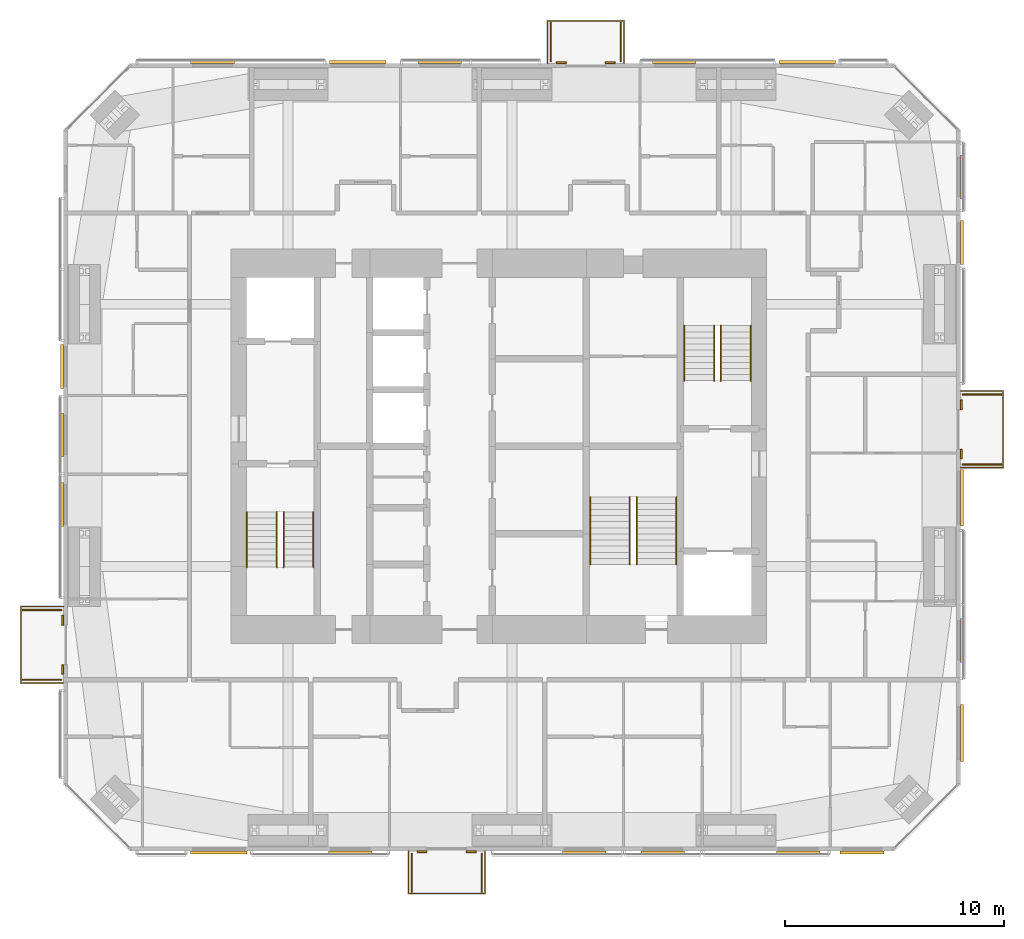
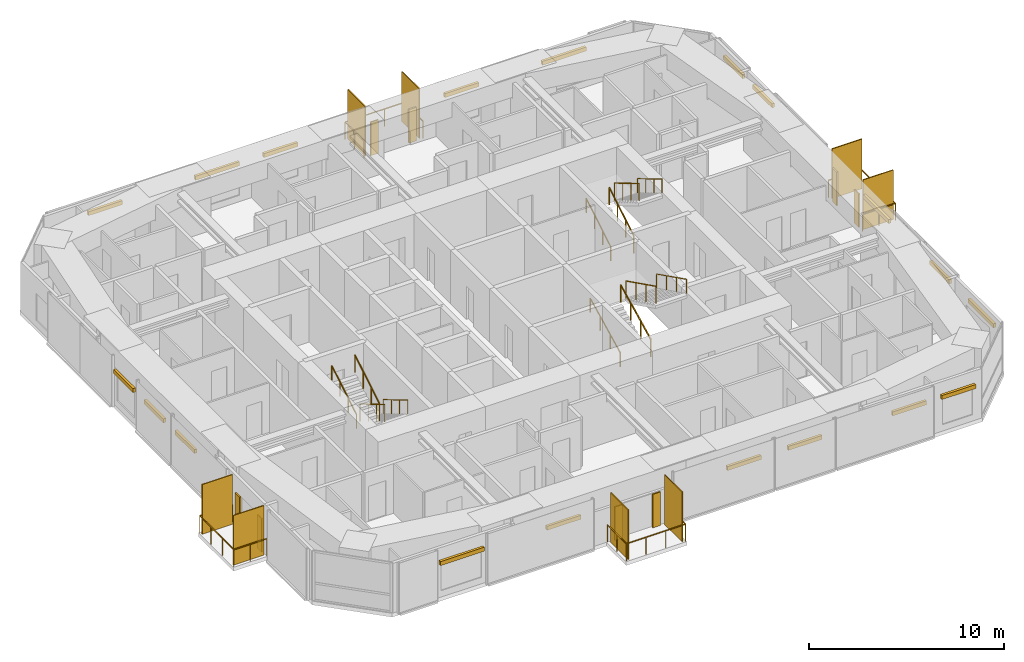
# One storey, part 23 of 23: 35 shading devices, 16 railings.
"""IFC4 building model written with IfcOpenShell, lengths in metres."""

from ifc_helpers import new_model, si_unit, direction, frame, origin, origin_2d, place, context, subcontext, project, spatial, rectangle, circle, extrude, material, layer, layer_set, constituent, constituent_set, type_object, element, save


model = new_model("IFC4")

# Units and contexts
model_context = context("Model", 3, precision=1e-05, world=origin(), true_north=direction((0.0, 1.0)))
body_context = subcontext(model_context, "Body", "Model", "MODEL_VIEW")
ifc_project = project(units=[si_unit("LENGTHUNIT", "METRE"), si_unit("AREAUNIT", "SQUARE_METRE"), si_unit("VOLUMEUNIT", "CUBIC_METRE"), si_unit("PLANEANGLEUNIT", "RADIAN"), si_unit("MASSUNIT", "GRAM", prefix="KILO")], contexts=[model_context])

# Site, building, storey
site_placement = place(None, origin())
site = spatial("IfcSite", under=ifc_project, at=site_placement, CompositionType="ELEMENT")
building_placement = place(site_placement, origin())
building = spatial("IfcBuilding", under=site, at=building_placement, Name="Jalousie Tower", CompositionType="ELEMENT")
storey_placement = place(building_placement, frame((0.0, 0.0, 184.5)))
storey = spatial("IfcBuildingStorey", under=building, at=storey_placement, Name="L50", CompositionType="ELEMENT", Elevation=184.5)

# Shading devices
ifc_material_1 = material(Name="Aluminium impact-rated louvred storm shutter", Category="aluminium")
shading_device_type_1 = type_object("IfcShadingDeviceType", Name="BI-FOLD STORM SHUTTER 900x2100", PredefinedType="SHUTTER", material=ifc_material_1)
for number, where, z_axis, x_axis, name in (
    (1, (28.387451171875, -0.0400390625, 0.0), (0.0, 0.0, 1.0), (1.0, 0.0, 0.0), "Balcony storm shutter L50"),
    (2, (30.637451171875, -0.0400390625, 0.0), (0.0, 0.0, 1.0), (1.0, 0.0, 0.0), "Balcony storm shutter L50"),
    (3, (53.0400390625, 18.14990234375, 0.0), (0.0, 0.0, 1.0), (0.0, 1.0, 0.0), "Balcony storm shutter L50"),
    (4, (53.0400390625, 20.39990234375, 0.0), (0.0, 0.0, 1.0), (0.0, 1.0, 0.0), "Balcony storm shutter L50"),
    (5, (37.0, 36.0400390625, 0.0), (0.0, 0.0, 1.0), (-1.0, 0.0, 0.0), "Balcony storm shutter L50"),
    (6, (34.75, 36.0400390625, 0.0), (0.0, 0.0, 1.0), (-1.0, 0.0, 0.0), "Balcony storm shutter L50"),
    (7, (11.9599609375, 10.550048828125, 0.0), (0.0, 0.0, 1.0), (0.0, -1.0, 0.0), "Balcony storm shutter L50"),
    (8, (11.9599609375, 8.300048828125, 0.0), (0.0, 0.0, 1.0), (0.0, -1.0, 0.0), "Balcony storm shutter L50"),
):
    element("IfcShadingDevice", number, at=place(storey_placement, frame(where, z_axis=z_axis, x_axis=x_axis)), inside=storey, type_object=shading_device_type_1, Name=name, PredefinedType="SHUTTER", context=body_context, shape_type="SweptSolid", body=[
        extrude(rectangle(XDim=0.449951171875, YDim=0.080078125, at=origin_2d()), origin(), (0.0, 0.0, 1.0), 2.10009765625),
    ])

# Railings
ifc_material_2 = material(Name="Powder-coated aluminium fretwork", Category="aluminium")
railing_type_1 = type_object("IfcRailingType", Name="FRETWORK BALUSTRADE 1100", PredefinedType="BALUSTRADE", material=ifc_material_2)
railing_1_placement = place(storey_placement, frame((27.762451171875, 0.0, 0.0)))
element("IfcRailing", 9, at=railing_1_placement, inside=storey, type_object=railing_type_1, Name="Balcony fretwork balustrade L50", PredefinedType="BALUSTRADE", context=body_context, shape_type="SweptSolid", body=[
    extrude(rectangle(XDim=0.048095703125, YDim=0.048095703125, at=origin_2d()), frame((0.0, 0.0, 1.076171875), z_axis=(0.0, -1.0, 0.0), x_axis=(1.0, 0.0, 0.0)), (0.0, 0.0, 1.0), 1.949951171875),
    extrude(rectangle(XDim=0.048095703125, YDim=0.048095703125, at=origin_2d()), frame((0.0, -1.949951171875, 1.076171875), z_axis=(1.0, 0.0, 0.0), x_axis=(0.0, 1.0, 0.0)), (0.0, 0.0, 1.0), 3.5),
    extrude(rectangle(XDim=0.048095703125, YDim=0.048095703125, at=origin_2d()), frame((3.5, -1.949951171875, 1.076171875), z_axis=(0.0, 1.0, 0.0), x_axis=(-1.0, 0.0, 0.0)), (0.0, 0.0, 1.0), 1.949951171875),
    extrude(circle(Radius=0.02099609375, at=origin_2d()), origin(), (0.0, 0.0, 1.0), 1.052001953125),
    extrude(circle(Radius=0.02099609375, at=origin_2d()), frame((0.0, -0.97509765625, 0.0)), (0.0, 0.0, 1.0), 1.052001953125),
    extrude(circle(Radius=0.02099609375, at=origin_2d()), frame((0.0, -1.949951171875, 0.0)), (0.0, 0.0, 1.0), 1.052001953125),
    extrude(circle(Radius=0.02099609375, at=origin_2d()), frame((1.166748046875, -1.949951171875, 0.0)), (0.0, 0.0, 1.0), 1.052001953125),
    extrude(circle(Radius=0.02099609375, at=origin_2d()), frame((2.333251953125, -1.949951171875, 0.0)), (0.0, 0.0, 1.0), 1.052001953125),
    extrude(circle(Radius=0.02099609375, at=origin_2d()), frame((3.5, -1.949951171875, 0.0)), (0.0, 0.0, 1.0), 1.052001953125),
    extrude(circle(Radius=0.02099609375, at=origin_2d()), frame((3.5, -0.97509765625, 0.0)), (0.0, 0.0, 1.0), 1.052001953125),
    extrude(circle(Radius=0.02099609375, at=origin_2d()), frame((3.5, 0.0, 0.0)), (0.0, 0.0, 1.0), 1.052001953125),
])
railing_2_placement = place(storey_placement, frame((53.0, 17.52490234375, 0.0)))
element("IfcRailing", 10, at=railing_2_placement, inside=storey, type_object=railing_type_1, Name="Balcony fretwork balustrade L50", PredefinedType="BALUSTRADE", context=body_context, shape_type="SweptSolid", body=[
    extrude(rectangle(XDim=0.048095703125, YDim=0.048095703125, at=origin_2d()), frame((0.0, 0.0, 1.076171875), z_axis=(1.0, 0.0, 0.0), x_axis=(0.0, 1.0, 0.0)), (0.0, 0.0, 1.0), 1.949951171875),
    extrude(rectangle(XDim=0.048095703125, YDim=0.048095703125, at=origin_2d()), frame((1.949951171875, 0.0, 1.076171875), z_axis=(0.0, 1.0, 0.0), x_axis=(-1.0, 0.0, 0.0)), (0.0, 0.0, 1.0), 3.5),
    extrude(rectangle(XDim=0.048095703125, YDim=0.048095703125, at=origin_2d()), frame((1.949951171875, 3.5, 1.076171875), z_axis=(-1.0, 0.0, 0.0), x_axis=(0.0, -1.0, 0.0)), (0.0, 0.0, 1.0), 1.949951171875),
    extrude(circle(Radius=0.02099609375, at=origin_2d()), origin(), (0.0, 0.0, 1.0), 1.052001953125),
    extrude(circle(Radius=0.02099609375, at=origin_2d()), frame((0.97509765625, 0.0, 0.0)), (0.0, 0.0, 1.0), 1.052001953125),
    extrude(circle(Radius=0.02099609375, at=origin_2d()), frame((1.949951171875, 0.0, 0.0)), (0.0, 0.0, 1.0), 1.052001953125),
    extrude(circle(Radius=0.02099609375, at=origin_2d()), frame((1.949951171875, 1.166748046875, 0.0)), (0.0, 0.0, 1.0), 1.052001953125),
    extrude(circle(Radius=0.02099609375, at=origin_2d()), frame((1.949951171875, 2.333251953125, 0.0)), (0.0, 0.0, 1.0), 1.052001953125),
    extrude(circle(Radius=0.02099609375, at=origin_2d()), frame((1.949951171875, 3.5, 0.0)), (0.0, 0.0, 1.0), 1.052001953125),
    extrude(circle(Radius=0.02099609375, at=origin_2d()), frame((0.97509765625, 3.5, 0.0)), (0.0, 0.0, 1.0), 1.052001953125),
    extrude(circle(Radius=0.02099609375, at=origin_2d()), frame((0.0, 3.5, 0.0)), (0.0, 0.0, 1.0), 1.052001953125),
])
railing_3_placement = place(storey_placement, frame((37.625, 36.0, 0.0)))
element("IfcRailing", 11, at=railing_3_placement, inside=storey, type_object=railing_type_1, Name="Balcony fretwork balustrade L50", PredefinedType="BALUSTRADE", context=body_context, shape_type="SweptSolid", body=[
    extrude(rectangle(XDim=0.048095703125, YDim=0.048095703125, at=origin_2d()), frame((0.0, 0.0, 1.076171875), z_axis=(0.0, 1.0, 0.0), x_axis=(-1.0, 0.0, 0.0)), (0.0, 0.0, 1.0), 1.949951171875),
    extrude(rectangle(XDim=0.048095703125, YDim=0.048095703125, at=origin_2d()), frame((0.0, 1.949951171875, 1.076171875), z_axis=(-1.0, 0.0, 0.0), x_axis=(0.0, -1.0, 0.0)), (0.0, 0.0, 1.0), 3.5),
    extrude(rectangle(XDim=0.048095703125, YDim=0.048095703125, at=origin_2d()), frame((-3.5, 1.949951171875, 1.076171875), z_axis=(0.0, -1.0, 0.0), x_axis=(1.0, 0.0, 0.0)), (0.0, 0.0, 1.0), 1.949951171875),
    extrude(circle(Radius=0.02099609375, at=origin_2d()), origin(), (0.0, 0.0, 1.0), 1.052001953125),
    extrude(circle(Radius=0.02099609375, at=origin_2d()), frame((0.0, 0.97509765625, 0.0)), (0.0, 0.0, 1.0), 1.052001953125),
    extrude(circle(Radius=0.02099609375, at=origin_2d()), frame((0.0, 1.949951171875, 0.0)), (0.0, 0.0, 1.0), 1.052001953125),
    extrude(circle(Radius=0.02099609375, at=origin_2d()), frame((-1.166748046875, 1.949951171875, 0.0)), (0.0, 0.0, 1.0), 1.052001953125),
    extrude(circle(Radius=0.02099609375, at=origin_2d()), frame((-2.333251953125, 1.949951171875, 0.0)), (0.0, 0.0, 1.0), 1.052001953125),
    extrude(circle(Radius=0.02099609375, at=origin_2d()), frame((-3.5, 1.949951171875, 0.0)), (0.0, 0.0, 1.0), 1.052001953125),
    extrude(circle(Radius=0.02099609375, at=origin_2d()), frame((-3.5, 0.97509765625, 0.0)), (0.0, 0.0, 1.0), 1.052001953125),
    extrude(circle(Radius=0.02099609375, at=origin_2d()), frame((-3.5, 0.0, 0.0)), (0.0, 0.0, 1.0), 1.052001953125),
])
railing_4_placement = place(storey_placement, frame((12.0, 11.175048828125, 0.0)))
element("IfcRailing", 12, at=railing_4_placement, inside=storey, type_object=railing_type_1, Name="Balcony fretwork balustrade L50", PredefinedType="BALUSTRADE", context=body_context, shape_type="SweptSolid", body=[
    extrude(rectangle(XDim=0.048095703125, YDim=0.048095703125, at=origin_2d()), frame((0.0, 0.0, 1.076171875), z_axis=(-1.0, 0.0, 0.0), x_axis=(0.0, -1.0, 0.0)), (0.0, 0.0, 1.0), 1.949951171875),
    extrude(rectangle(XDim=0.048095703125, YDim=0.048095703125, at=origin_2d()), frame((-1.949951171875, 0.0, 1.076171875), z_axis=(0.0, -1.0, 0.0), x_axis=(1.0, 0.0, 0.0)), (0.0, 0.0, 1.0), 3.5),
    extrude(rectangle(XDim=0.048095703125, YDim=0.048095703125, at=origin_2d()), frame((-1.949951171875, -3.5, 1.076171875), z_axis=(1.0, 0.0, 0.0), x_axis=(0.0, 1.0, 0.0)), (0.0, 0.0, 1.0), 1.949951171875),
    extrude(circle(Radius=0.02099609375, at=origin_2d()), origin(), (0.0, 0.0, 1.0), 1.052001953125),
    extrude(circle(Radius=0.02099609375, at=origin_2d()), frame((-0.97509765625, 0.0, 0.0)), (0.0, 0.0, 1.0), 1.052001953125),
    extrude(circle(Radius=0.02099609375, at=origin_2d()), frame((-1.949951171875, 0.0, 0.0)), (0.0, 0.0, 1.0), 1.052001953125),
    extrude(circle(Radius=0.02099609375, at=origin_2d()), frame((-1.949951171875, -1.166748046875, 0.0)), (0.0, 0.0, 1.0), 1.052001953125),
    extrude(circle(Radius=0.02099609375, at=origin_2d()), frame((-1.949951171875, -2.333251953125, 0.0)), (0.0, 0.0, 1.0), 1.052001953125),
    extrude(circle(Radius=0.02099609375, at=origin_2d()), frame((-1.949951171875, -3.5, 0.0)), (0.0, 0.0, 1.0), 1.052001953125),
    extrude(circle(Radius=0.02099609375, at=origin_2d()), frame((-0.97509765625, -3.5, 0.0)), (0.0, 0.0, 1.0), 1.052001953125),
    extrude(circle(Radius=0.02099609375, at=origin_2d()), frame((0.0, -3.5, 0.0)), (0.0, 0.0, 1.0), 1.052001953125),
])

# Shading devices
ifc_material_3 = material(Name="Powder-coated aluminium louvres", Category="aluminium")
ifc_layer = layer(ifc_material_3, 0.06005859375)
ifc_layer_set = layer_set([ifc_layer], Name="Powder-coated aluminium louvres")
shading_device_type_2 = type_object("IfcShadingDeviceType", Name="JALOUSIE LOUVRE SCREEN", PredefinedType="JALOUSIE", material=ifc_layer_set)
for number, where, z_axis, x_axis, name in (
    (13, (27.91259765625, -1.0, 0.0), (0.0, 0.0, 1.0), (1.0, 0.0, 0.0), "Jalousie louvre screen L50"),
    (14, (31.112548828125, -1.0, 0.0), (0.0, 0.0, 1.0), (1.0, 0.0, 0.0), "Jalousie louvre screen L50"),
    (15, (54.0, 17.675048828125, 0.0), (0.0, 0.0, 1.0), (0.0, 1.0, 0.0), "Jalousie louvre screen L50"),
    (16, (54.0, 20.875, 0.0), (0.0, 0.0, 1.0), (0.0, 1.0, 0.0), "Jalousie louvre screen L50"),
    (17, (37.47509765625, 37.0, 0.0), (0.0, 0.0, 1.0), (-1.0, 0.0, 0.0), "Jalousie louvre screen L50"),
    (18, (34.27490234375, 37.0, 0.0), (0.0, 0.0, 1.0), (-1.0, 0.0, 0.0), "Jalousie louvre screen L50"),
    (19, (11.0, 11.02490234375, 0.0), (0.0, 0.0, 1.0), (0.0, -1.0, 0.0), "Jalousie louvre screen L50"),
    (20, (11.0, 7.824951171875, 0.0), (0.0, 0.0, 1.0), (0.0, -1.0, 0.0), "Jalousie louvre screen L50"),
):
    element("IfcShadingDevice", number, at=place(storey_placement, frame(where, z_axis=z_axis, x_axis=x_axis)), inside=storey, type_object=shading_device_type_2, Name=name, PredefinedType="JALOUSIE", context=body_context, shape_type="SweptSolid", body=[
        extrude(rectangle(XDim=0.06005859375, YDim=1.800048828125, at=origin_2d()), origin(), (0.0, 0.0, 1.0), 3.110107421875),
    ])

# Railings
ifc_material_4 = material(Name="Steel ASTM A500 Grade C", Category="steel")
ifc_constituent_1 = constituent(ifc_material_4, Name="Body")
ifc_material_5 = material(Name="Hot-dip galvanised zinc coating")
ifc_constituent_2 = constituent(ifc_material_5, Name="Finish")
ifc_constituent_set_1 = constituent_set(constituents=[ifc_constituent_1, ifc_constituent_2])
railing_type_2 = type_object("IfcRailingType", Name="STAIR GUARD 1100", PredefinedType="GUARDRAIL", material=ifc_constituent_set_1)
railing_5_placement = place(storey_placement, frame((22.054931640625, 15.49755859375, 0.16748046875)))
element("IfcRailing", 21, at=railing_5_placement, inside=storey, type_object=railing_type_2, Name="Exit stair A guard L50 flight 1", PredefinedType="GUARDRAIL", context=body_context, shape_type="SweptSolid", body=[
    extrude(rectangle(XDim=0.048095703125, YDim=0.048095703125, at=origin_2d()), frame((0.0, 0.0, 1.076171875), z_axis=(0.0, -0.858159760407, 0.513382728203), x_axis=(1.0, 0.0, 0.0)), (0.0, 0.0, 1.0), 2.9365234375),
    extrude(circle(Radius=0.02099609375, at=origin_2d()), origin(), (0.0, 0.0, 1.0), 1.052001953125),
    extrude(circle(Radius=0.02099609375, at=origin_2d()), frame((0.0, -0.840087890625, 0.50244140625)), (0.0, 0.0, 1.0), 1.052001953125),
    extrude(circle(Radius=0.02099609375, at=origin_2d()), frame((0.0, -1.679931640625, 1.005126953125)), (0.0, 0.0, 1.0), 1.052001953125),
    extrude(circle(Radius=0.02099609375, at=origin_2d()), frame((0.0, -2.52001953125, 1.507568359375)), (0.0, 0.0, 1.0), 1.052001953125),
])
for number, where, name in (
    (22, (21.7451171875, 12.9775390625, 1.842529296875), "Exit stair A guard L50 flight 2"),
    (23, (41.7451171875, 21.50244140625, 0.16748046875), "Exit stair B guard L50 flight 1"),
):
    element("IfcRailing", number, at=place(storey_placement, frame(where)), inside=storey, type_object=railing_type_2, Name=name, PredefinedType="GUARDRAIL", context=body_context, shape_type="SweptSolid", body=[
        extrude(rectangle(XDim=0.048095703125, YDim=0.048095703125, at=origin_2d()), frame((0.0, 0.0, 1.076171875), z_axis=(0.0, 0.858159760407, 0.513382728203), x_axis=(-1.0, 0.0, 0.0)), (0.0, 0.0, 1.0), 2.9365234375),
        extrude(circle(Radius=0.02099609375, at=origin_2d()), origin(), (0.0, 0.0, 1.0), 1.052001953125),
        extrude(circle(Radius=0.02099609375, at=origin_2d()), frame((0.0, 0.840087890625, 0.50244140625)), (0.0, 0.0, 1.0), 1.052001953125),
        extrude(circle(Radius=0.02099609375, at=origin_2d()), frame((0.0, 1.679931640625, 1.005126953125)), (0.0, 0.0, 1.0), 1.052001953125),
        extrude(circle(Radius=0.02099609375, at=origin_2d()), frame((0.0, 2.52001953125, 1.507568359375)), (0.0, 0.0, 1.0), 1.052001953125),
    ])
railing_6_placement = place(storey_placement, frame((42.054931640625, 24.0224609375, 1.842529296875)))
element("IfcRailing", 24, at=railing_6_placement, inside=storey, type_object=railing_type_2, Name="Exit stair B guard L50 flight 2", PredefinedType="GUARDRAIL", context=body_context, shape_type="SweptSolid", body=[
    extrude(rectangle(XDim=0.048095703125, YDim=0.048095703125, at=origin_2d()), frame((0.0, 0.0, 1.076171875), z_axis=(0.0, -0.858159760407, 0.513382728203), x_axis=(1.0, 0.0, 0.0)), (0.0, 0.0, 1.0), 2.9365234375),
    extrude(circle(Radius=0.02099609375, at=origin_2d()), origin(), (0.0, 0.0, 1.0), 1.052001953125),
    extrude(circle(Radius=0.02099609375, at=origin_2d()), frame((0.0, -0.840087890625, 0.50244140625)), (0.0, 0.0, 1.0), 1.052001953125),
    extrude(circle(Radius=0.02099609375, at=origin_2d()), frame((0.0, -1.679931640625, 1.005126953125)), (0.0, 0.0, 1.0), 1.052001953125),
    extrude(circle(Radius=0.02099609375, at=origin_2d()), frame((0.0, -2.52001953125, 1.507568359375)), (0.0, 0.0, 1.0), 1.052001953125),
])
railing_7_placement = place(storey_placement, frame((37.89501953125, 13.097412109375, 0.1396484375)))
element("IfcRailing", 25, at=railing_7_placement, inside=storey, type_object=railing_type_2, Name="Exit stair C guard L50 flight 1", PredefinedType="GUARDRAIL", context=body_context, shape_type="SweptSolid", body=[
    extrude(rectangle(XDim=0.048095703125, YDim=0.048095703125, at=origin_2d()), frame((0.0, 0.0, 1.076171875), z_axis=(0.0, 0.894965676997, 0.446134998624), x_axis=(-1.0, 0.0, 0.0)), (0.0, 0.0, 1.0), 3.441650390625),
    extrude(circle(Radius=0.02099609375, at=origin_2d()), origin(), (0.0, 0.0, 1.0), 1.052001953125),
    extrude(circle(Radius=0.02099609375, at=origin_2d()), frame((0.0, 1.026611328125, 0.51171875)), (0.0, 0.0, 1.0), 1.052001953125),
    extrude(circle(Radius=0.02099609375, at=origin_2d()), frame((0.0, 2.053466796875, 1.023681640625)), (0.0, 0.0, 1.0), 1.052001953125),
    extrude(circle(Radius=0.02099609375, at=origin_2d()), frame((0.0, 3.080078125, 1.535400390625)), (0.0, 0.0, 1.0), 1.052001953125),
])
railing_8_placement = place(storey_placement, frame((38.205078125, 16.177490234375, 1.814697265625)))
element("IfcRailing", 26, at=railing_8_placement, inside=storey, type_object=railing_type_2, Name="Exit stair C guard L50 flight 2", PredefinedType="GUARDRAIL", context=body_context, shape_type="SweptSolid", body=[
    extrude(rectangle(XDim=0.048095703125, YDim=0.048095703125, at=origin_2d()), frame((0.0, 0.0, 1.076171875), z_axis=(0.0, -0.894965676997, 0.446134998624), x_axis=(1.0, 0.0, 0.0)), (0.0, 0.0, 1.0), 3.441650390625),
    extrude(circle(Radius=0.02099609375, at=origin_2d()), origin(), (0.0, 0.0, 1.0), 1.052001953125),
    extrude(circle(Radius=0.02099609375, at=origin_2d()), frame((0.0, -1.026611328125, 0.51171875)), (0.0, 0.0, 1.0), 1.052001953125),
    extrude(circle(Radius=0.02099609375, at=origin_2d()), frame((0.0, -2.053466796875, 1.023681640625)), (0.0, 0.0, 1.0), 1.052001953125),
    extrude(circle(Radius=0.02099609375, at=origin_2d()), frame((0.0, -3.080078125, 1.535400390625)), (0.0, 0.0, 1.0), 1.052001953125),
])
ifc_material_6 = material(Name="Steel ASTM A500 Grade C", Category="steel")
ifc_constituent_3 = constituent(ifc_material_6, Name="Body")
ifc_material_7 = material(Name="Hot-dip galvanised zinc coating")
ifc_constituent_4 = constituent(ifc_material_7, Name="Finish")
ifc_constituent_set_2 = constituent_set(constituents=[ifc_constituent_3, ifc_constituent_4])
railing_type_3 = type_object("IfcRailingType", Name="STAIR HANDRAIL 900", PredefinedType="HANDRAIL", material=ifc_constituent_set_2)
railing_9_placement = place(storey_placement, frame((23.419921875, 15.49755859375, 0.16748046875)))
element("IfcRailing", 27, at=railing_9_placement, inside=storey, type_object=railing_type_3, Name="Exit stair A handrail L50 flight 1", PredefinedType="HANDRAIL", context=body_context, shape_type="SweptSolid", body=[
    extrude(circle(Radius=0.02392578125, at=origin_2d()), frame((0.0, 0.0, 0.8759765625), z_axis=(0.0, -0.858159760407, 0.513382728203), x_axis=(1.0, 0.0, 0.0)), (0.0, 0.0, 1.0), 2.9365234375),
    extrude(circle(Radius=0.02099609375, at=origin_2d()), origin(), (0.0, 0.0, 1.0), 0.851806640625),
    extrude(circle(Radius=0.02099609375, at=origin_2d()), frame((0.0, -0.840087890625, 0.50244140625)), (0.0, 0.0, 1.0), 0.851806640625),
    extrude(circle(Radius=0.02099609375, at=origin_2d()), frame((0.0, -1.679931640625, 1.005126953125)), (0.0, 0.0, 1.0), 0.851806640625),
    extrude(circle(Radius=0.02099609375, at=origin_2d()), frame((0.0, -2.52001953125, 1.507568359375)), (0.0, 0.0, 1.0), 0.851806640625),
])
for number, where, name in (
    (28, (20.3798828125, 12.9775390625, 1.842529296875), "Exit stair A handrail L50 flight 2"),
    (29, (40.3798828125, 21.50244140625, 0.16748046875), "Exit stair B handrail L50 flight 1"),
):
    element("IfcRailing", number, at=place(storey_placement, frame(where)), inside=storey, type_object=railing_type_3, Name=name, PredefinedType="HANDRAIL", context=body_context, shape_type="SweptSolid", body=[
        extrude(circle(Radius=0.02392578125, at=origin_2d()), frame((0.0, 0.0, 0.8759765625), z_axis=(0.0, 0.858159760407, 0.513382728203), x_axis=(-1.0, 0.0, 0.0)), (0.0, 0.0, 1.0), 2.9365234375),
        extrude(circle(Radius=0.02099609375, at=origin_2d()), origin(), (0.0, 0.0, 1.0), 0.851806640625),
        extrude(circle(Radius=0.02099609375, at=origin_2d()), frame((0.0, 0.840087890625, 0.50244140625)), (0.0, 0.0, 1.0), 0.851806640625),
        extrude(circle(Radius=0.02099609375, at=origin_2d()), frame((0.0, 1.679931640625, 1.005126953125)), (0.0, 0.0, 1.0), 0.851806640625),
        extrude(circle(Radius=0.02099609375, at=origin_2d()), frame((0.0, 2.52001953125, 1.507568359375)), (0.0, 0.0, 1.0), 0.851806640625),
    ])
railing_10_placement = place(storey_placement, frame((43.419921875, 24.0224609375, 1.842529296875)))
element("IfcRailing", 30, at=railing_10_placement, inside=storey, type_object=railing_type_3, Name="Exit stair B handrail L50 flight 2", PredefinedType="HANDRAIL", context=body_context, shape_type="SweptSolid", body=[
    extrude(circle(Radius=0.02392578125, at=origin_2d()), frame((0.0, 0.0, 0.8759765625), z_axis=(0.0, -0.858159760407, 0.513382728203), x_axis=(1.0, 0.0, 0.0)), (0.0, 0.0, 1.0), 2.9365234375),
    extrude(circle(Radius=0.02099609375, at=origin_2d()), origin(), (0.0, 0.0, 1.0), 0.851806640625),
    extrude(circle(Radius=0.02099609375, at=origin_2d()), frame((0.0, -0.840087890625, 0.50244140625)), (0.0, 0.0, 1.0), 0.851806640625),
    extrude(circle(Radius=0.02099609375, at=origin_2d()), frame((0.0, -1.679931640625, 1.005126953125)), (0.0, 0.0, 1.0), 0.851806640625),
    extrude(circle(Radius=0.02099609375, at=origin_2d()), frame((0.0, -2.52001953125, 1.507568359375)), (0.0, 0.0, 1.0), 0.851806640625),
])
railing_11_placement = place(storey_placement, frame((36.080078125, 13.097412109375, 0.1396484375)))
element("IfcRailing", 31, at=railing_11_placement, inside=storey, type_object=railing_type_3, Name="Exit stair C handrail L50 flight 1", PredefinedType="HANDRAIL", context=body_context, shape_type="SweptSolid", body=[
    extrude(circle(Radius=0.02392578125, at=origin_2d()), frame((0.0, 0.0, 0.8759765625), z_axis=(0.0, 0.894965676997, 0.446134998624), x_axis=(-1.0, 0.0, 0.0)), (0.0, 0.0, 1.0), 3.441650390625),
    extrude(circle(Radius=0.02099609375, at=origin_2d()), origin(), (0.0, 0.0, 1.0), 0.851806640625),
    extrude(circle(Radius=0.02099609375, at=origin_2d()), frame((0.0, 1.026611328125, 0.51171875)), (0.0, 0.0, 1.0), 0.851806640625),
    extrude(circle(Radius=0.02099609375, at=origin_2d()), frame((0.0, 2.053466796875, 1.023681640625)), (0.0, 0.0, 1.0), 0.851806640625),
    extrude(circle(Radius=0.02099609375, at=origin_2d()), frame((0.0, 3.080078125, 1.535400390625)), (0.0, 0.0, 1.0), 0.851806640625),
])
railing_12_placement = place(storey_placement, frame((40.02001953125, 16.177490234375, 1.814697265625)))
element("IfcRailing", 32, at=railing_12_placement, inside=storey, type_object=railing_type_3, Name="Exit stair C handrail L50 flight 2", PredefinedType="HANDRAIL", context=body_context, shape_type="SweptSolid", body=[
    extrude(circle(Radius=0.02392578125, at=origin_2d()), frame((0.0, 0.0, 0.8759765625), z_axis=(0.0, -0.894965676997, 0.446134998624), x_axis=(1.0, 0.0, 0.0)), (0.0, 0.0, 1.0), 3.441650390625),
    extrude(circle(Radius=0.02099609375, at=origin_2d()), origin(), (0.0, 0.0, 1.0), 0.851806640625),
    extrude(circle(Radius=0.02099609375, at=origin_2d()), frame((0.0, -1.026611328125, 0.51171875)), (0.0, 0.0, 1.0), 0.851806640625),
    extrude(circle(Radius=0.02099609375, at=origin_2d()), frame((0.0, -2.053466796875, 1.023681640625)), (0.0, 0.0, 1.0), 0.851806640625),
    extrude(circle(Radius=0.02099609375, at=origin_2d()), frame((0.0, -3.080078125, 1.535400390625)), (0.0, 0.0, 1.0), 0.851806640625),
])

# Shading devices
ifc_material_8 = material(Name="Aluminium roller storm shutter", Category="aluminium")
shading_device_type_3 = type_object("IfcShadingDeviceType", Name="STORM SHUTTER HOUSING", PredefinedType="SHUTTER", material=ifc_material_8)
shading_device_1_placement = place(storey_placement, frame((19.09130859375, -0.074951171875, 2.10009765625), z_axis=(0.0, 0.0, 1.0), x_axis=(1.0, 0.0, 0.0)))
element("IfcShadingDevice", 33, at=shading_device_1_placement, inside=storey, type_object=shading_device_type_3, Name="Storm shutter L50", PredefinedType="SHUTTER", context=body_context, shape_type="SweptSolid", body=[
    extrude(rectangle(XDim=2.60009765625, YDim=0.14990234375, at=origin_2d()), origin(), (0.0, 0.0, 1.0), 0.25),
])
for number, where, z_axis, x_axis, name in (
    (34, (25.10009765625, -0.074951171875, 2.10009765625), (0.0, 0.0, 1.0), (1.0, 0.0, 0.0), "Storm shutter L50"),
    (35, (35.800048828125, -0.074951171875, 2.10009765625), (0.0, 0.0, 1.0), (1.0, 0.0, 0.0), "Storm shutter L50"),
    (36, (39.39990234375, -0.074951171875, 2.10009765625), (0.0, 0.0, 1.0), (1.0, 0.0, 0.0), "Storm shutter L50"),
    (37, (45.58740234375, -0.074951171875, 2.10009765625), (0.0, 0.0, 1.0), (1.0, 0.0, 0.0), "Storm shutter L50"),
    (38, (48.510986328125, -0.074951171875, 2.10009765625), (0.0, 0.0, 1.0), (1.0, 0.0, 0.0), "Storm shutter L50"),
):
    element("IfcShadingDevice", number, at=place(storey_placement, frame(where, z_axis=z_axis, x_axis=x_axis)), inside=storey, type_object=shading_device_type_3, Name=name, PredefinedType="SHUTTER", context=body_context, shape_type="SweptSolid", body=[
        extrude(rectangle(XDim=2.0, YDim=0.14990234375, at=origin_2d()), origin(), (0.0, 0.0, 1.0), 0.25),
    ])
shading_device_2_placement = place(storey_placement, frame((53.074951171875, 5.38818359375, 2.10009765625), z_axis=(0.0, 0.0, 1.0), x_axis=(0.0, 1.0, 0.0)))
element("IfcShadingDevice", 39, at=shading_device_2_placement, inside=storey, type_object=shading_device_type_3, Name="Storm shutter L50", PredefinedType="SHUTTER", context=body_context, shape_type="SweptSolid", body=[
    extrude(rectangle(XDim=2.60009765625, YDim=0.14990234375, at=origin_2d()), origin(), (0.0, 0.0, 1.0), 0.25),
])
shading_device_3_placement = place(storey_placement, frame((53.074951171875, 9.625, 2.10009765625), z_axis=(0.0, 0.0, 1.0), x_axis=(0.0, 1.0, 0.0)))
element("IfcShadingDevice", 40, at=shading_device_3_placement, inside=storey, type_object=shading_device_type_3, Name="Storm shutter L50", PredefinedType="SHUTTER", context=body_context, shape_type="SweptSolid", body=[
    extrude(rectangle(XDim=2.0, YDim=0.14990234375, at=origin_2d()), origin(), (0.0, 0.0, 1.0), 0.25),
])
shading_device_4_placement = place(storey_placement, frame((53.074951171875, 16.153076171875, 2.10009765625), z_axis=(0.0, 0.0, 1.0), x_axis=(0.0, 1.0, 0.0)))
element("IfcShadingDevice", 41, at=shading_device_4_placement, inside=storey, type_object=shading_device_type_3, Name="Storm shutter L50", PredefinedType="SHUTTER", context=body_context, shape_type="SweptSolid", body=[
    extrude(rectangle(XDim=2.60009765625, YDim=0.14990234375, at=origin_2d()), origin(), (0.0, 0.0, 1.0), 0.25),
])
for number, where, z_axis, x_axis, name in (
    (42, (53.074951171875, 27.824951171875, 2.10009765625), (0.0, 0.0, 1.0), (0.0, 1.0, 0.0), "Storm shutter L50"),
    (43, (53.074951171875, 30.822509765625, 2.10009765625), (0.0, 0.0, 1.0), (0.0, 1.0, 0.0), "Storm shutter L50"),
):
    element("IfcShadingDevice", number, at=place(storey_placement, frame(where, z_axis=z_axis, x_axis=x_axis)), inside=storey, type_object=shading_device_type_3, Name=name, PredefinedType="SHUTTER", context=body_context, shape_type="SweptSolid", body=[
        extrude(rectangle(XDim=2.0, YDim=0.14990234375, at=origin_2d()), origin(), (0.0, 0.0, 1.0), 0.25),
    ])
shading_device_5_placement = place(storey_placement, frame((45.99951171875, 36.074951171875, 2.10009765625), z_axis=(0.0, 0.0, 1.0), x_axis=(-1.0, 0.0, 0.0)))
element("IfcShadingDevice", 44, at=shading_device_5_placement, inside=storey, type_object=shading_device_type_3, Name="Storm shutter L50", PredefinedType="SHUTTER", context=body_context, shape_type="SweptSolid", body=[
    extrude(rectangle(XDim=2.60009765625, YDim=0.14990234375, at=origin_2d()), origin(), (0.0, 0.0, 1.0), 0.25),
])
for number, where, z_axis, x_axis, name in (
    (45, (39.925048828125, 36.074951171875, 2.10009765625), (0.0, 0.0, 1.0), (-1.0, 0.0, 0.0), "Storm shutter L50"),
    (46, (29.199951171875, 36.074951171875, 2.10009765625), (0.0, 0.0, 1.0), (-1.0, 0.0, 0.0), "Storm shutter L50"),
):
    element("IfcShadingDevice", number, at=place(storey_placement, frame(where, z_axis=z_axis, x_axis=x_axis)), inside=storey, type_object=shading_device_type_3, Name=name, PredefinedType="SHUTTER", context=body_context, shape_type="SweptSolid", body=[
        extrude(rectangle(XDim=2.0, YDim=0.14990234375, at=origin_2d()), origin(), (0.0, 0.0, 1.0), 0.25),
    ])
shading_device_6_placement = place(storey_placement, frame((25.445068359375, 36.074951171875, 2.10009765625), z_axis=(0.0, 0.0, 1.0), x_axis=(-1.0, 0.0, 0.0)))
element("IfcShadingDevice", 47, at=shading_device_6_placement, inside=storey, type_object=shading_device_type_3, Name="Storm shutter L50", PredefinedType="SHUTTER", context=body_context, shape_type="SweptSolid", body=[
    extrude(rectangle(XDim=2.60009765625, YDim=0.14990234375, at=origin_2d()), origin(), (0.0, 0.0, 1.0), 0.25),
])
for number, where, z_axis, x_axis, name in (
    (48, (18.800048828125, 36.074951171875, 2.10009765625), (0.0, 0.0, 1.0), (-1.0, 0.0, 0.0), "Storm shutter L50"),
    (49, (11.925048828125, 22.150146484375, 2.10009765625), (0.0, 0.0, 1.0), (0.0, -1.0, 0.0), "Storm shutter L50"),
    (50, (11.925048828125, 19.02490234375, 2.10009765625), (0.0, 0.0, 1.0), (0.0, -1.0, 0.0), "Storm shutter L50"),
    (51, (11.925048828125, 15.847412109375, 2.10009765625), (0.0, 0.0, 1.0), (0.0, -1.0, 0.0), "Storm shutter L50"),
):
    element("IfcShadingDevice", number, at=place(storey_placement, frame(where, z_axis=z_axis, x_axis=x_axis)), inside=storey, type_object=shading_device_type_3, Name=name, PredefinedType="SHUTTER", context=body_context, shape_type="SweptSolid", body=[
        extrude(rectangle(XDim=2.0, YDim=0.14990234375, at=origin_2d()), origin(), (0.0, 0.0, 1.0), 0.25),
    ])

save(model, "model.ifc")
